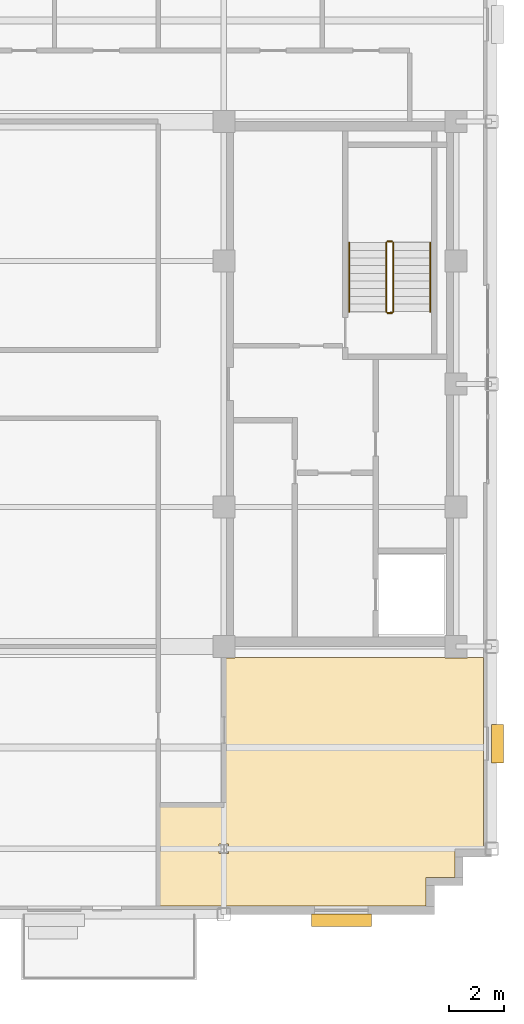
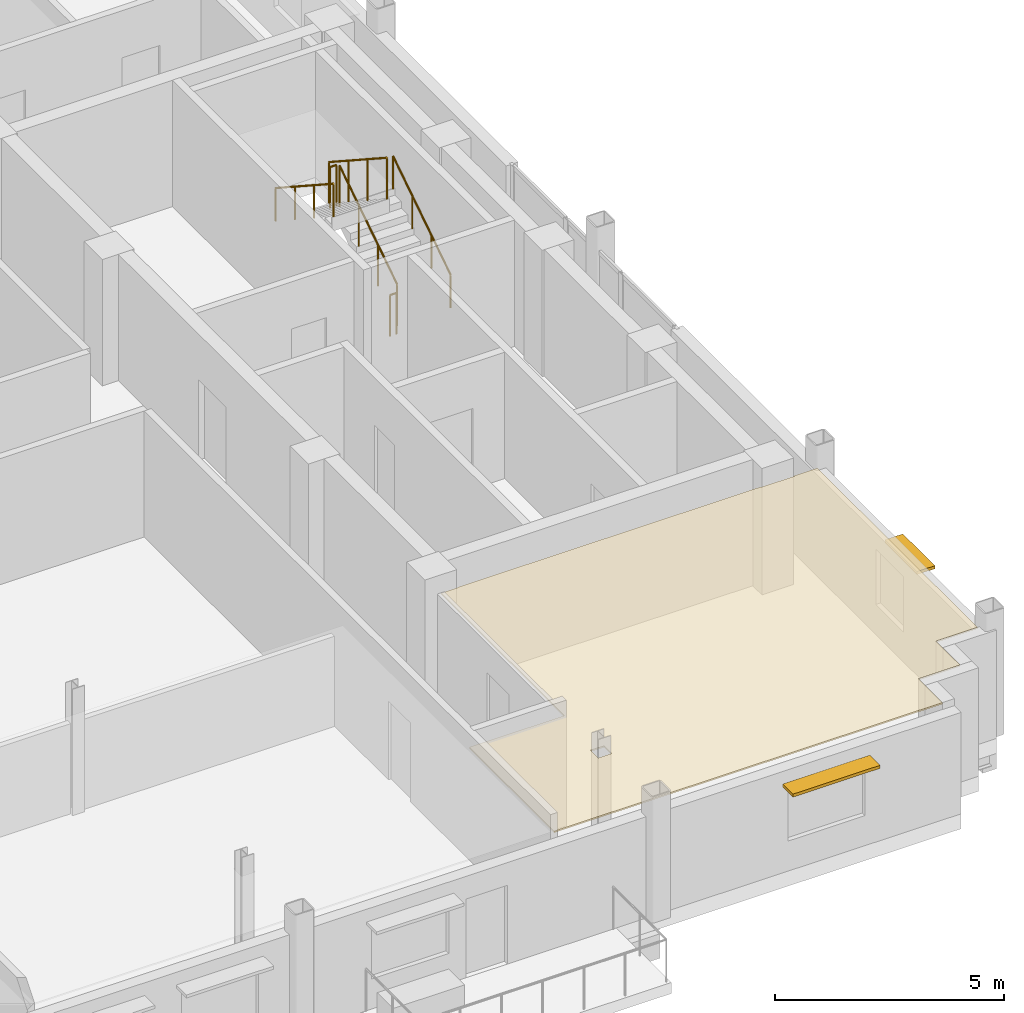
# One storey, part 13 of 14: 6 railings, 2 shading devices, 1 covering.
"""IFC4 building model written with IfcOpenShell, lengths in metres."""

import ifcopenshell
import ifcopenshell.guid

model = None  # the IFC model being written
_history = None  # IfcOwnerHistory: only IFC2X3 demands one
_inside = {}  # id of a spatial element -> (the spatial element, [elements in it])
_under = {}  # id of a project, library or spatial element -> (it, [spatial elements below it])
_declared = {}  # id of a project -> (the project, [libraries it declares])
_typed = {}  # id of a type object -> (the type object, [elements of that type])
_made_of = {}  # id of a material, layer set ... -> (it, [elements and type objects made of it])


def new_model(schema):
    """Start an empty IFC model of exactly this schema.

    Asked for "IFC4X3", IfcOpenShell would pick the latest addendum, in which some entities
    have other attributes; the version numbers below select the first issue.
    IFC2X3 requires an IfcOwnerHistory on every rooted entity: one is made here for all.
    """
    global model, _history
    if schema == "IFC4X3":
        model = ifcopenshell.file(schema_version=(4, 3, 0, 0))
    else:
        model = ifcopenshell.file(schema=schema)
    _inside.clear()
    _under.clear()
    _declared.clear()
    _typed.clear()
    _made_of.clear()
    _history = None
    if model.schema == "IFC2X3":
        org = make("IfcOrganization", Name="unknown")
        user = make(
            "IfcPersonAndOrganization",
            ThePerson=make("IfcPerson", FamilyName="unknown"),
            TheOrganization=org,
        )
        app = make(
            "IfcApplication",
            ApplicationDeveloper=org,
            Version="unknown",
            ApplicationFullName="unknown",
            ApplicationIdentifier="unknown",
        )
        _history = make(
            "IfcOwnerHistory",
            OwningUser=user,
            OwningApplication=app,
            ChangeAction="ADDED",
            CreationDate=0,
        )
    return model


def make(cls, **values):
    """One entity of the class cls with the attributes given. An attribute that is None is left unset."""
    return model.create_entity(
        cls, **{name: value for name, value in values.items() if value is not None}
    )


def rooted(cls, **values):
    """An entity with a GlobalId (a new one), such as an element, a storey or a relation."""
    return make(cls, GlobalId=ifcopenshell.guid.new(), OwnerHistory=_history, **values)


def si_unit(unit_type, name, prefix=None):
    """IfcSIUnit, for example si_unit("LENGTHUNIT", "METRE", prefix="MILLI")."""
    return make("IfcSIUnit", UnitType=unit_type, Prefix=prefix, Name=name)


def assignment(units):
    """IfcUnitAssignment: the units of a project."""
    return None if units is None else make("IfcUnitAssignment", Units=units)


def point(xyz):
    """IfcCartesianPoint."""
    return None if xyz is None else make("IfcCartesianPoint", Coordinates=xyz)


def direction(xyz):
    """IfcDirection."""
    return None if xyz is None else make("IfcDirection", DirectionRatios=xyz)


def frame(location, z_axis=None, x_axis=None):
    """IfcAxis2Placement3D, a coordinate frame: its origin and axes. An axis left out is left unset."""
    return make(
        "IfcAxis2Placement3D",
        Location=point(location),
        Axis=direction(z_axis),
        RefDirection=direction(x_axis),
    )


def frame_2d(location, x_axis=None):
    """IfcAxis2Placement2D, a coordinate frame in the plane: its origin and x axis."""
    return make(
        "IfcAxis2Placement2D", Location=point(location), RefDirection=direction(x_axis)
    )


def origin():
    """The frame at (0, 0, 0) with its axes left unset."""
    return frame((0.0, 0.0, 0.0))


def origin_2d():
    """The frame at (0, 0) in the plane with its x axis left unset."""
    return frame_2d((0.0, 0.0))


def place(relative_to, where):
    """IfcLocalPlacement: puts the frame where relative to a parent placement (None: the world)."""
    return make(
        "IfcLocalPlacement", PlacementRelTo=relative_to, RelativePlacement=where
    )


def context(
    kind, dimensions, precision=None, world=None, true_north=None, identifier=None
):
    """IfcGeometricRepresentationContext, for example the 3D "Model" context."""
    return make(
        "IfcGeometricRepresentationContext",
        ContextIdentifier=identifier,
        ContextType=kind,
        CoordinateSpaceDimension=dimensions,
        Precision=precision,
        WorldCoordinateSystem=world,
        TrueNorth=true_north,
    )


def subcontext(parent, identifier, kind, view, scale=None):
    """IfcGeometricRepresentationSubContext, for example "Body" below "Model"."""
    return make(
        "IfcGeometricRepresentationSubContext",
        ContextIdentifier=identifier,
        ContextType=kind,
        ParentContext=parent,
        TargetScale=scale,
        TargetView=view,
    )


def project(units=None, contexts=None):
    """IfcProject with its units and contexts."""
    return rooted(
        "IfcProject",
        Name="project",
        RepresentationContexts=contexts,
        UnitsInContext=assignment(units),
    )


def spatial(cls, under=None, at=None, **own):
    """A site, building, storey or space (cls), placed at a placement, below another one or the project."""
    s = rooted(cls, ObjectPlacement=at, **own)
    if under is not None:
        _under.setdefault(under.id(), (under, []))[1].append(s)
    return s


def polyline(points):
    """IfcPolyline through the points."""
    return make("IfcPolyline", Points=[point(p) for p in points])


def profile(cls, at=None, kind="AREA", **sizes):
    """A parametric profile (cls). Its sizes go by their IFC names, for example OverallWidth=200.0."""
    return make(cls, ProfileType=kind, Position=at, **sizes)


def rectangle(**sizes):
    """IfcRectangleProfileDef."""
    return profile("IfcRectangleProfileDef", **sizes)


def circle(**sizes):
    """IfcCircleProfileDef."""
    return profile("IfcCircleProfileDef", **sizes)


def outline(outer, holes=None, kind="AREA"):
    """IfcArbitraryClosedProfileDef: a profile drawn as a closed curve; with holes, ...WithVoids."""
    if holes is None:
        return make("IfcArbitraryClosedProfileDef", ProfileType=kind, OuterCurve=outer)
    return make(
        "IfcArbitraryProfileDefWithVoids",
        ProfileType=kind,
        OuterCurve=outer,
        InnerCurves=holes,
    )


def extrude(swept, where, along, depth):
    """IfcExtrudedAreaSolid: the profile swept, set in the frame where, extruded along a direction by depth."""
    return make(
        "IfcExtrudedAreaSolid",
        SweptArea=swept,
        Position=where,
        ExtrudedDirection=direction(along),
        Depth=depth,
    )


def shape(context_of_items, identifier, shape_type, items):
    """IfcShapeRepresentation: the items that make up one representation, for example the "Body"."""
    return make(
        "IfcShapeRepresentation",
        ContextOfItems=context_of_items,
        RepresentationIdentifier=identifier,
        RepresentationType=shape_type,
        Items=items,
    )


def source(mapping_origin, context_of_items, identifier, shape_type, items):
    """IfcRepresentationMap: a shape defined once, which mapped items show again and again."""
    return make(
        "IfcRepresentationMap",
        MappingOrigin=mapping_origin,
        MappedRepresentation=shape(context_of_items, identifier, shape_type, items),
    )


def transform(
    local_origin,
    x_axis=None,
    y_axis=None,
    z_axis=None,
    scale=None,
    scale2=None,
    scale3=None,
    uniform=True,
):
    """IfcCartesianTransformationOperator3D, or its non-uniform kind. x_axis, y_axis, z_axis: its Axis1, 2, 3."""
    if uniform:
        return make(
            "IfcCartesianTransformationOperator3D",
            Axis1=direction(x_axis),
            Axis2=direction(y_axis),
            LocalOrigin=point(local_origin),
            Scale=scale,
            Axis3=direction(z_axis),
        )
    return make(
        "IfcCartesianTransformationOperator3DnonUniform",
        Axis1=direction(x_axis),
        Axis2=direction(y_axis),
        LocalOrigin=point(local_origin),
        Scale=scale,
        Axis3=direction(z_axis),
        Scale2=scale2,
        Scale3=scale3,
    )


def mapped(mapping_source, mapping_target):
    """IfcMappedItem: shows the shape of a source again, moved by a transform."""
    return make(
        "IfcMappedItem", MappingSource=mapping_source, MappingTarget=mapping_target
    )


def material(Name=None, Category=None):
    """IfcMaterial."""
    return make("IfcMaterial", Name=Name, Category=Category)


def layer(
    of_material, thickness, ventilated=None, Name=None, Category=None, Priority=None
):
    """IfcMaterialLayer: one layer of a wall or slab, of a material (None: an air gap)."""
    return make(
        "IfcMaterialLayer",
        Material=of_material,
        LayerThickness=thickness,
        IsVentilated=ventilated,
        Name=Name,
        Category=Category,
        Priority=Priority,
    )


def layer_set(layers, Name=None):
    """IfcMaterialLayerSet."""
    return make("IfcMaterialLayerSet", MaterialLayers=layers, LayerSetName=Name)


def made_of(thing, what):
    """Note that an element or type object is made of a material, layer set ...; save() writes the relation."""
    if what is not None:
        _made_of.setdefault(what.id(), (what, []))[1].append(thing)
    return thing


def type_object(cls, material=None, **own):
    """A type object (cls), such as IfcWallType, which elements share."""
    return made_of(rooted(cls, **own), material)


def type_shapes(of_type, sources):
    """Give a type object the sources (RepresentationMaps) that its elements show as mapped items."""
    of_type.RepresentationMaps = sources


def element(
    cls,
    number,
    at=None,
    inside=None,
    cuts=None,
    type_object=None,
    material=None,
    context=None,
    identifier="Body",
    shape_type=None,
    held_by="IfcProductDefinitionShape",
    body=None,
    shapes=None,
    **own,
):
    """One element of the class cls, such as IfcWall. Its Tag is "e" and its number.

    at: its placement. inside: the storey or other place that contains it. cuts: it is an
    opening in that element (IfcRelVoidsElement). A single representation is given by context,
    identifier, shape_type and body (its items); several are given by shapes. held_by: the class
    of the entity that holds the representations. save() writes the other relations.
    """
    e = rooted(cls, Tag="e%d" % number, ObjectPlacement=at, **own)
    if body is not None:
        shapes = [shape(context, identifier, shape_type, body)]
    if shapes is not None:
        e.Representation = make(held_by, Representations=shapes)
    if inside is not None:
        _inside.setdefault(inside.id(), (inside, []))[1].append(e)
    if cuts is not None:
        rooted(
            "IfcRelVoidsElement", RelatingBuildingElement=cuts, RelatedOpeningElement=e
        )
    if type_object is not None:
        _typed.setdefault(type_object.id(), (type_object, []))[1].append(e)
    return made_of(e, material)


def aggregate(whole, parts):
    """IfcRelAggregates: a whole, such as a stair, and the parts it consists of."""
    return rooted("IfcRelAggregates", RelatingObject=whole, RelatedObjects=parts)


def save(model, path):
    """Write the relations noted so far, then the file.

    IfcRelAggregates (storeys below a building ...), IfcRelContainedInSpatialStructure (elements
    in a storey), IfcRelDefinesByType, IfcRelAssociatesMaterial and IfcRelDeclares: one each for
    every whole, place, type object, material and project.
    """
    for whole, parts in _under.values():
        aggregate(whole, parts)
    for where, things in _inside.values():
        rooted(
            "IfcRelContainedInSpatialStructure",
            RelatedElements=things,
            RelatingStructure=where,
        )
    for kind, things in _typed.values():
        rooted("IfcRelDefinesByType", RelatedObjects=things, RelatingType=kind)
    for what, things in _made_of.values():
        rooted("IfcRelAssociatesMaterial", RelatedObjects=things, RelatingMaterial=what)
    for by, libraries in _declared.values():
        rooted("IfcRelDeclares", RelatingContext=by, RelatedDefinitions=libraries)
    model.write(path)


model = new_model("IFC4")

# Units and contexts
model_context = context("Model", 3, precision=1e-05, world=origin(), true_north=direction((0.0, 1.0)))
body_context = subcontext(model_context, "Body", "Model", "MODEL_VIEW")
ifc_project = project(units=[si_unit("LENGTHUNIT", "METRE"), si_unit("AREAUNIT", "SQUARE_METRE"), si_unit("VOLUMEUNIT", "CUBIC_METRE"), si_unit("PLANEANGLEUNIT", "RADIAN"), si_unit("MASSUNIT", "GRAM", prefix="KILO")], contexts=[model_context])

# Site, building, storey
site_placement = place(None, origin())
site = spatial("IfcSite", under=ifc_project, at=site_placement, CompositionType="ELEMENT")
building_placement = place(site_placement, origin())
building = spatial("IfcBuilding", under=site, at=building_placement, Name="Nuvemarco Arch Tower", CompositionType="ELEMENT")
storey_placement = place(building_placement, frame((0.0, 0.0, 245.64990234375)))
storey = spatial("IfcBuildingStorey", under=building, at=storey_placement, Name="L65", CompositionType="ELEMENT", Elevation=245.64990234375)

# Covering
ifc_material_1 = material(Name="Mineral acoustic ceiling tile")
ifc_layer = layer(ifc_material_1, 0.0400390625, Name="COV-ACOUSTIC-CLG")
ifc_layer_set = layer_set([ifc_layer], Name="Mineral acoustic ceiling tile")
covering_type = type_object("IfcCoveringType", Name="COV-ACOUSTIC-CLG", PredefinedType="CEILING", material=ifc_layer_set)
covering_placement = place(storey_placement, frame((0.0, 0.0, 2.85009765625)))
element("IfcCovering", 1, at=covering_placement, inside=storey, type_object=covering_type, Name="L65 suspended acoustic ceiling 2", PredefinedType="CEILING", context=body_context, shape_type="SweptSolid", body=[
    extrude(outline(polyline([(16.39990234375, -19.10009765625), (6.60009765625, -19.10009765625), (6.60009765625, -15.39990234375), (9.0, -15.39990234375), (9.0, -10.014892578125), (9.4150390625, -10.014892578125), (9.4150390625, -10.0), (17.0849609375, -10.0), (17.0849609375, -10.014892578125), (17.9150390625, -10.014892578125), (17.9150390625, -10.0), (18.5, -10.0), (18.5, -17.0), (17.449951171875, -17.0), (17.449951171875, -18.050048828125), (16.39990234375, -18.050048828125), (16.39990234375, -19.10009765625)]), holes=[polyline([(9.169921875, -17.169921875), (9.169921875, -16.830078125), (8.830078125, -16.830078125), (8.830078125, -17.169921875), (9.169921875, -17.169921875)])]), origin(), (0.0, 0.0, 1.0), 0.0400390625),
])

# Railings
ifc_material_2 = material(Name="Brushed stainless steel handrail", Category="steel")
railing_type_1 = type_object("IfcRailingType", Name="RL-HANDRAIL-900", PredefinedType="HANDRAIL", material=ifc_material_2)
railing_1_placement = place(storey_placement, frame((16.550048828125, 2.64990234375, 0.1826171875)))
element("IfcRailing", 2, at=railing_1_placement, inside=storey, type_object=railing_type_1, Name="L65 ST-2 stair handrail 1", PredefinedType="HANDRAIL", context=body_context, shape_type="SweptSolid", body=[
    extrude(circle(Radius=0.02392578125, at=origin_2d()), frame((0.0, 0.0, 0.8759765625), z_axis=(0.0, 0.837749427056, 0.546054848405), x_axis=(-1.0, 0.0, 0.0)), (0.0, 0.0, 1.0), 3.008056640625),
    extrude(circle(Radius=0.02099609375, at=origin_2d()), origin(), (0.0, 0.0, 1.0), 0.851806640625),
    extrude(circle(Radius=0.02099609375, at=origin_2d()), frame((0.0, 0.840087890625, 0.547607421875)), (0.0, 0.0, 1.0), 0.851806640625),
    extrude(circle(Radius=0.02099609375, at=origin_2d()), frame((0.0, 1.679931640625, 1.094970703125)), (0.0, 0.0, 1.0), 0.851806640625),
    extrude(circle(Radius=0.02099609375, at=origin_2d()), frame((0.0, 2.52001953125, 1.642578125)), (0.0, 0.0, 1.0), 0.851806640625),
])
railing_2_placement = place(storey_placement, frame((13.590087890625, 5.169921875, 2.007568359375)))
element("IfcRailing", 3, at=railing_2_placement, inside=storey, type_object=railing_type_1, Name="L65 ST-2 stair handrail 2", PredefinedType="HANDRAIL", context=body_context, shape_type="SweptSolid", body=[
    extrude(circle(Radius=0.02392578125, at=origin_2d()), frame((0.0, 0.0, 0.8759765625), z_axis=(0.0, -0.837749427056, 0.546054848405), x_axis=(1.0, 0.0, 0.0)), (0.0, 0.0, 1.0), 3.008056640625),
    extrude(circle(Radius=0.02099609375, at=origin_2d()), origin(), (0.0, 0.0, 1.0), 0.851806640625),
    extrude(circle(Radius=0.02099609375, at=origin_2d()), frame((0.0, -0.840087890625, 0.547607421875)), (0.0, 0.0, 1.0), 0.851806640625),
    extrude(circle(Radius=0.02099609375, at=origin_2d()), frame((0.0, -1.679931640625, 1.094970703125)), (0.0, 0.0, 1.0), 0.851806640625),
    extrude(circle(Radius=0.02099609375, at=origin_2d()), frame((0.0, -2.52001953125, 1.642578125)), (0.0, 0.0, 1.0), 0.851806640625),
])
ifc_material_3 = material(Name="Painted balustrade steel S355", Category="steel")
railing_type_2 = type_object("IfcRailingType", Name="RL-STAIR-GUARD", PredefinedType="GUARDRAIL", material=ifc_material_3)
railing_3_placement = place(storey_placement, frame((15.199951171875, 2.64990234375, 0.1826171875)))
element("IfcRailing", 4, at=railing_3_placement, inside=storey, type_object=railing_type_2, Name="L65 ST-2 stair guard 1", PredefinedType="GUARDRAIL", context=body_context, shape_type="SweptSolid", body=[
    extrude(circle(Radius=0.02392578125, at=origin_2d()), frame((0.0, 0.0, 1.09619140625), z_axis=(0.0, 0.837749427056, 0.546054848405), x_axis=(-1.0, 0.0, 0.0)), (0.0, 0.0, 1.0), 3.008056640625),
    extrude(circle(Radius=0.02099609375, at=origin_2d()), origin(), (0.0, 0.0, 1.0), 1.072021484375),
    extrude(circle(Radius=0.02099609375, at=origin_2d()), frame((0.0, 0.840087890625, 0.547607421875)), (0.0, 0.0, 1.0), 1.072021484375),
    extrude(circle(Radius=0.02099609375, at=origin_2d()), frame((0.0, 1.679931640625, 1.094970703125)), (0.0, 0.0, 1.0), 1.072021484375),
    extrude(circle(Radius=0.02099609375, at=origin_2d()), frame((0.0, 2.52001953125, 1.642578125)), (0.0, 0.0, 1.0), 1.072021484375),
])
railing_4_placement = place(storey_placement, frame((15.14990234375, 5.219970703125, 1.8251953125)))
element("IfcRailing", 5, at=railing_4_placement, inside=storey, type_object=railing_type_2, Name="L65 ST-2 stair guard 2", PredefinedType="GUARDRAIL", context=body_context, shape_type="SweptSolid", body=[
    extrude(circle(Radius=0.02392578125, at=origin_2d()), frame((0.0, 0.0, 1.09619140625), z_axis=(-1.0, 0.0, 0.0), x_axis=(0.0, -1.0, 0.0)), (0.0, 0.0, 1.0), 0.159912109375),
    extrude(circle(Radius=0.02099609375, at=origin_2d()), origin(), (0.0, 0.0, 1.0), 1.072021484375),
    extrude(circle(Radius=0.02099609375, at=origin_2d()), frame((-0.159912109375, 0.0, 0.0)), (0.0, 0.0, 1.0), 1.072021484375),
])
railing_5_placement = place(storey_placement, frame((14.93994140625, 5.169921875, 2.007568359375)))
element("IfcRailing", 6, at=railing_5_placement, inside=storey, type_object=railing_type_2, Name="L65 ST-2 stair guard 3", PredefinedType="GUARDRAIL", context=body_context, shape_type="SweptSolid", body=[
    extrude(circle(Radius=0.02392578125, at=origin_2d()), frame((0.0, 0.0, 1.09619140625), z_axis=(0.0, -0.837749427056, 0.546054848405), x_axis=(1.0, 0.0, 0.0)), (0.0, 0.0, 1.0), 3.008056640625),
    extrude(circle(Radius=0.02099609375, at=origin_2d()), origin(), (0.0, 0.0, 1.0), 1.072021484375),
    extrude(circle(Radius=0.02099609375, at=origin_2d()), frame((0.0, -0.840087890625, 0.547607421875)), (0.0, 0.0, 1.0), 1.072021484375),
    extrude(circle(Radius=0.02099609375, at=origin_2d()), frame((0.0, -1.679931640625, 1.094970703125)), (0.0, 0.0, 1.0), 1.072021484375),
    extrude(circle(Radius=0.02099609375, at=origin_2d()), frame((0.0, -2.52001953125, 1.642578125)), (0.0, 0.0, 1.0), 1.072021484375),
])
railing_6_placement = place(storey_placement, frame((15.14990234375, 2.60009765625, 0.0)))
element("IfcRailing", 7, at=railing_6_placement, inside=storey, type_object=railing_type_2, Name="L65 ST-2 stair guard 4", PredefinedType="GUARDRAIL", context=body_context, shape_type="SweptSolid", body=[
    extrude(circle(Radius=0.02392578125, at=origin_2d()), frame((0.0, 0.0, 1.09619140625), z_axis=(-1.0, 0.0, 0.0), x_axis=(0.0, -1.0, 0.0)), (0.0, 0.0, 1.0), 0.159912109375),
    extrude(circle(Radius=0.02099609375, at=origin_2d()), origin(), (0.0, 0.0, 1.0), 1.072021484375),
    extrude(circle(Radius=0.02099609375, at=origin_2d()), frame((-0.159912109375, 0.0, 0.0)), (0.0, 0.0, 1.0), 1.072021484375),
])

# Shading devices
ifc_material_4 = material(Name="Anodised aluminium 6063-T6", Category="aluminium")
shading_device_type_1 = type_object("IfcShadingDeviceType", Name="SHD-BRISE-SOLEIL", PredefinedType="USERDEFINED", material=ifc_material_4)
shared_shape_1 = source(origin(), body_context, "Body", "SweptSolid", [
    extrude(rectangle(XDim=2.199951171875, YDim=0.449951171875, at=origin_2d()), origin(), (0.0, 0.0, 1.0), 0.080078125),
])
type_shapes(shading_device_type_1, [shared_shape_1])
shading_device_1_placement = place(storey_placement, frame((13.300048828125, -19.614990234375, 2.28515625), z_axis=(0.0, 0.0, 1.0), x_axis=(1.0, 0.0, 0.0)))
element("IfcShadingDevice", 8, at=shading_device_1_placement, inside=storey, type_object=shading_device_type_1, Name="L65 horizontal brise-soleil sunshade", ObjectType="SUNSHADE", PredefinedType="USERDEFINED", context=body_context, shape_type="MappedRepresentation", body=[
    mapped(shared_shape_1, transform((0.0, 0.0, 0.0), scale=1.0)),
])
shading_device_type_2 = type_object("IfcShadingDeviceType", Name="SHD-BRISE-NARROW", PredefinedType="USERDEFINED", material=ifc_material_4)
shared_shape_2 = source(origin(), body_context, "Body", "SweptSolid", [
    extrude(rectangle(XDim=1.39990234375, YDim=0.449951171875, at=origin_2d()), origin(), (0.0, 0.0, 1.0), 0.080078125),
])
type_shapes(shading_device_type_2, [shared_shape_2])
shading_device_2_placement = place(storey_placement, frame((19.014892578125, -13.153076171875, 2.28515625), z_axis=(0.0, 0.0, 1.0), x_axis=(0.0, 1.0, 0.0)))
element("IfcShadingDevice", 9, at=shading_device_2_placement, inside=storey, type_object=shading_device_type_2, Name="L65 horizontal brise-soleil sunshade", ObjectType="SUNSHADE", PredefinedType="USERDEFINED", context=body_context, shape_type="MappedRepresentation", body=[
    mapped(shared_shape_2, transform((0.0, 0.0, 0.0), scale=1.0)),
])

save(model, "model.ifc")
